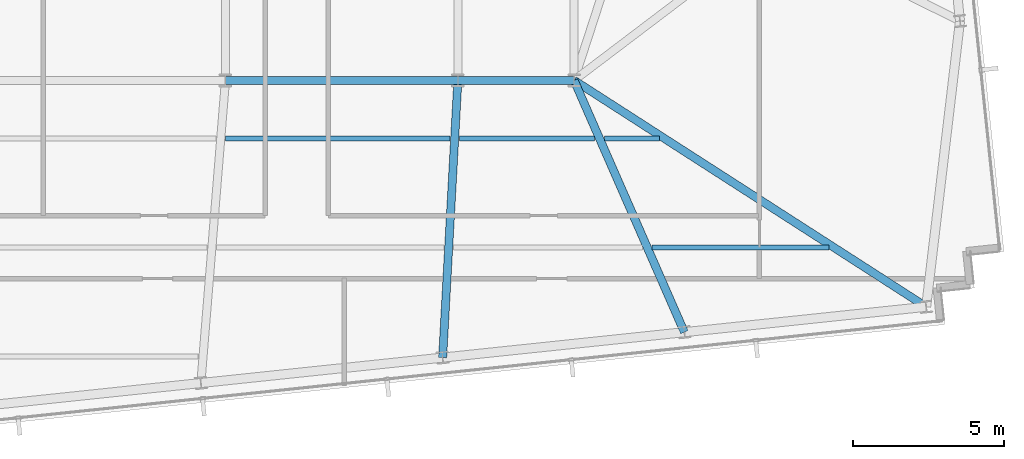
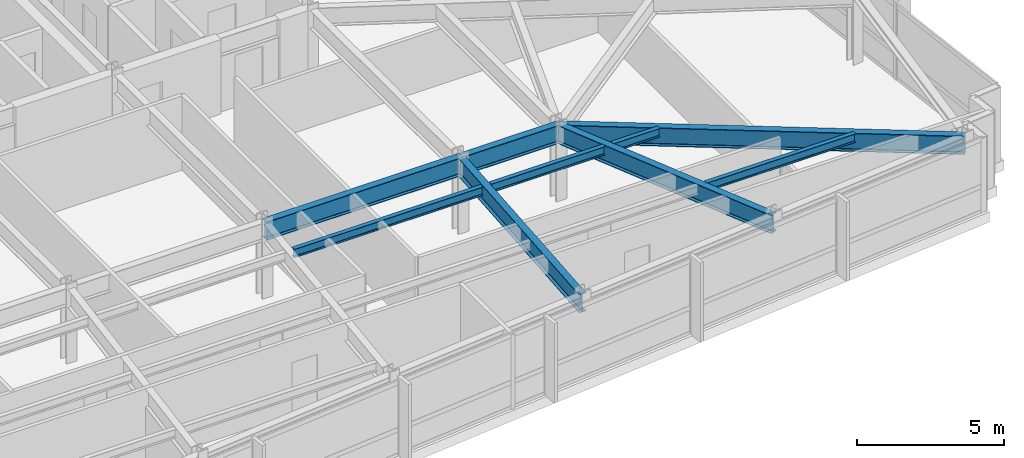
# One storey, part 11 of 26: 9 beams.
"""IFC4 building model written with IfcOpenShell, lengths in metres."""

import ifcopenshell
import ifcopenshell.guid

model = None  # the IFC model being written
_history = None  # IfcOwnerHistory: only IFC2X3 demands one
_inside = {}  # id of a spatial element -> (the spatial element, [elements in it])
_under = {}  # id of a project, library or spatial element -> (it, [spatial elements below it])
_declared = {}  # id of a project -> (the project, [libraries it declares])
_typed = {}  # id of a type object -> (the type object, [elements of that type])
_made_of = {}  # id of a material, layer set ... -> (it, [elements and type objects made of it])


def new_model(schema):
    """Start an empty IFC model of exactly this schema.

    Asked for "IFC4X3", IfcOpenShell would pick the latest addendum, in which some entities
    have other attributes; the version numbers below select the first issue.
    IFC2X3 requires an IfcOwnerHistory on every rooted entity: one is made here for all.
    """
    global model, _history
    if schema == "IFC4X3":
        model = ifcopenshell.file(schema_version=(4, 3, 0, 0))
    else:
        model = ifcopenshell.file(schema=schema)
    _inside.clear()
    _under.clear()
    _declared.clear()
    _typed.clear()
    _made_of.clear()
    _history = None
    if model.schema == "IFC2X3":
        org = make("IfcOrganization", Name="unknown")
        user = make(
            "IfcPersonAndOrganization",
            ThePerson=make("IfcPerson", FamilyName="unknown"),
            TheOrganization=org,
        )
        app = make(
            "IfcApplication",
            ApplicationDeveloper=org,
            Version="unknown",
            ApplicationFullName="unknown",
            ApplicationIdentifier="unknown",
        )
        _history = make(
            "IfcOwnerHistory",
            OwningUser=user,
            OwningApplication=app,
            ChangeAction="ADDED",
            CreationDate=0,
        )
    return model


def make(cls, **values):
    """One entity of the class cls with the attributes given. An attribute that is None is left unset."""
    return model.create_entity(
        cls, **{name: value for name, value in values.items() if value is not None}
    )


def rooted(cls, **values):
    """An entity with a GlobalId (a new one), such as an element, a storey or a relation."""
    return make(cls, GlobalId=ifcopenshell.guid.new(), OwnerHistory=_history, **values)


def si_unit(unit_type, name, prefix=None):
    """IfcSIUnit, for example si_unit("LENGTHUNIT", "METRE", prefix="MILLI")."""
    return make("IfcSIUnit", UnitType=unit_type, Prefix=prefix, Name=name)


def assignment(units):
    """IfcUnitAssignment: the units of a project."""
    return None if units is None else make("IfcUnitAssignment", Units=units)


def point(xyz):
    """IfcCartesianPoint."""
    return None if xyz is None else make("IfcCartesianPoint", Coordinates=xyz)


def direction(xyz):
    """IfcDirection."""
    return None if xyz is None else make("IfcDirection", DirectionRatios=xyz)


def frame(location, z_axis=None, x_axis=None):
    """IfcAxis2Placement3D, a coordinate frame: its origin and axes. An axis left out is left unset."""
    return make(
        "IfcAxis2Placement3D",
        Location=point(location),
        Axis=direction(z_axis),
        RefDirection=direction(x_axis),
    )


def frame_2d(location, x_axis=None):
    """IfcAxis2Placement2D, a coordinate frame in the plane: its origin and x axis."""
    return make(
        "IfcAxis2Placement2D", Location=point(location), RefDirection=direction(x_axis)
    )


def origin():
    """The frame at (0, 0, 0) with its axes left unset."""
    return frame((0.0, 0.0, 0.0))


def origin_2d():
    """The frame at (0, 0) in the plane with its x axis left unset."""
    return frame_2d((0.0, 0.0))


def place(relative_to, where):
    """IfcLocalPlacement: puts the frame where relative to a parent placement (None: the world)."""
    return make(
        "IfcLocalPlacement", PlacementRelTo=relative_to, RelativePlacement=where
    )


def context(
    kind, dimensions, precision=None, world=None, true_north=None, identifier=None
):
    """IfcGeometricRepresentationContext, for example the 3D "Model" context."""
    return make(
        "IfcGeometricRepresentationContext",
        ContextIdentifier=identifier,
        ContextType=kind,
        CoordinateSpaceDimension=dimensions,
        Precision=precision,
        WorldCoordinateSystem=world,
        TrueNorth=true_north,
    )


def subcontext(parent, identifier, kind, view, scale=None):
    """IfcGeometricRepresentationSubContext, for example "Body" below "Model"."""
    return make(
        "IfcGeometricRepresentationSubContext",
        ContextIdentifier=identifier,
        ContextType=kind,
        ParentContext=parent,
        TargetScale=scale,
        TargetView=view,
    )


def project(units=None, contexts=None):
    """IfcProject with its units and contexts."""
    return rooted(
        "IfcProject",
        Name="project",
        RepresentationContexts=contexts,
        UnitsInContext=assignment(units),
    )


def spatial(cls, under=None, at=None, **own):
    """A site, building, storey or space (cls), placed at a placement, below another one or the project."""
    s = rooted(cls, ObjectPlacement=at, **own)
    if under is not None:
        _under.setdefault(under.id(), (under, []))[1].append(s)
    return s


def profile(cls, at=None, kind="AREA", **sizes):
    """A parametric profile (cls). Its sizes go by their IFC names, for example OverallWidth=200.0."""
    return make(cls, ProfileType=kind, Position=at, **sizes)


def i_section(**sizes):
    """IfcIShapeProfileDef."""
    return profile("IfcIShapeProfileDef", **sizes)


def extrude(swept, where, along, depth):
    """IfcExtrudedAreaSolid: the profile swept, set in the frame where, extruded along a direction by depth."""
    return make(
        "IfcExtrudedAreaSolid",
        SweptArea=swept,
        Position=where,
        ExtrudedDirection=direction(along),
        Depth=depth,
    )


def shape(context_of_items, identifier, shape_type, items):
    """IfcShapeRepresentation: the items that make up one representation, for example the "Body"."""
    return make(
        "IfcShapeRepresentation",
        ContextOfItems=context_of_items,
        RepresentationIdentifier=identifier,
        RepresentationType=shape_type,
        Items=items,
    )


def material(Name=None, Category=None):
    """IfcMaterial."""
    return make("IfcMaterial", Name=Name, Category=Category)


def material_profile(
    of_material, cross_section, Name=None, Category=None, Priority=None
):
    """IfcMaterialProfile: a cross section and its material."""
    return make(
        "IfcMaterialProfile",
        Name=Name,
        Material=of_material,
        Profile=cross_section,
        Priority=Priority,
        Category=Category,
    )


def profile_set(profiles, Name=None, composite=None):
    """IfcMaterialProfileSet."""
    return make(
        "IfcMaterialProfileSet",
        Name=Name,
        MaterialProfiles=profiles,
        CompositeProfile=composite,
    )


def made_of(thing, what):
    """Note that an element or type object is made of a material, layer set ...; save() writes the relation."""
    if what is not None:
        _made_of.setdefault(what.id(), (what, []))[1].append(thing)
    return thing


def type_object(cls, material=None, **own):
    """A type object (cls), such as IfcWallType, which elements share."""
    return made_of(rooted(cls, **own), material)


def element(
    cls,
    number,
    at=None,
    inside=None,
    cuts=None,
    type_object=None,
    material=None,
    context=None,
    identifier="Body",
    shape_type=None,
    held_by="IfcProductDefinitionShape",
    body=None,
    shapes=None,
    **own,
):
    """One element of the class cls, such as IfcWall. Its Tag is "e" and its number.

    at: its placement. inside: the storey or other place that contains it. cuts: it is an
    opening in that element (IfcRelVoidsElement). A single representation is given by context,
    identifier, shape_type and body (its items); several are given by shapes. held_by: the class
    of the entity that holds the representations. save() writes the other relations.
    """
    e = rooted(cls, Tag="e%d" % number, ObjectPlacement=at, **own)
    if body is not None:
        shapes = [shape(context, identifier, shape_type, body)]
    if shapes is not None:
        e.Representation = make(held_by, Representations=shapes)
    if inside is not None:
        _inside.setdefault(inside.id(), (inside, []))[1].append(e)
    if cuts is not None:
        rooted(
            "IfcRelVoidsElement", RelatingBuildingElement=cuts, RelatedOpeningElement=e
        )
    if type_object is not None:
        _typed.setdefault(type_object.id(), (type_object, []))[1].append(e)
    return made_of(e, material)


def aggregate(whole, parts):
    """IfcRelAggregates: a whole, such as a stair, and the parts it consists of."""
    return rooted("IfcRelAggregates", RelatingObject=whole, RelatedObjects=parts)


def save(model, path):
    """Write the relations noted so far, then the file.

    IfcRelAggregates (storeys below a building ...), IfcRelContainedInSpatialStructure (elements
    in a storey), IfcRelDefinesByType, IfcRelAssociatesMaterial and IfcRelDeclares: one each for
    every whole, place, type object, material and project.
    """
    for whole, parts in _under.values():
        aggregate(whole, parts)
    for where, things in _inside.values():
        rooted(
            "IfcRelContainedInSpatialStructure",
            RelatedElements=things,
            RelatingStructure=where,
        )
    for kind, things in _typed.values():
        rooted("IfcRelDefinesByType", RelatedObjects=things, RelatingType=kind)
    for what, things in _made_of.values():
        rooted("IfcRelAssociatesMaterial", RelatedObjects=things, RelatingMaterial=what)
    for by, libraries in _declared.values():
        rooted("IfcRelDeclares", RelatingContext=by, RelatedDefinitions=libraries)
    model.write(path)


model = new_model("IFC4")

# Units and contexts
model_context = context("Model", 3, precision=1e-05, world=origin(), true_north=direction((0.0, 1.0)))
body_context = subcontext(model_context, "Body", "Model", "MODEL_VIEW")
ifc_project = project(units=[si_unit("LENGTHUNIT", "METRE"), si_unit("AREAUNIT", "SQUARE_METRE"), si_unit("VOLUMEUNIT", "CUBIC_METRE"), si_unit("PLANEANGLEUNIT", "RADIAN"), si_unit("MASSUNIT", "GRAM", prefix="KILO")], contexts=[model_context])

# Site, building, storey
site_placement = place(None, origin())
site = spatial("IfcSite", under=ifc_project, at=site_placement, CompositionType="ELEMENT")
building_placement = place(site_placement, origin())
building = spatial("IfcBuilding", under=site, at=building_placement, Name="Yelkora Congress Tower", CompositionType="ELEMENT")
storey_placement = place(building_placement, frame((0.0, 0.0, 204.5)))
storey = spatial("IfcBuildingStorey", under=building, at=storey_placement, Name="L56", CompositionType="ELEMENT", Elevation=204.5)

# Beams
ifc_material = material(Name="Steel S355J2", Category="steel")
ifc_material_profile_1 = material_profile(ifc_material, i_section(OverallWidth=0.26708984375, OverallDepth=0.761962890625, WebThickness=0.014404296875, FlangeThickness=0.021484375, FilletRadius=0.01708984375, at=origin_2d()), Name="IPE 750x173")
ifc_profile_set_1 = profile_set([ifc_material_profile_1], Name="Steel S355J2")
beam_type_1 = type_object("IfcBeamType", Name="BM-GIRD-IPE750", PredefinedType="BEAM", material=ifc_profile_set_1)
beam_1_placement = place(storey_placement, frame((46.080078125, 25.199951171875, 2.698974609375), z_axis=(1.0, 0.0, 0.0), x_axis=(0.0, 1.0, 0.0)))
element("IfcBeam", 1, at=beam_1_placement, inside=storey, type_object=beam_type_1, Name="L56 Spine Grid D Girder 5", PredefinedType="BEAM", context=body_context, shape_type="SweptSolid", body=[
    extrude(i_section(OverallWidth=0.26708984375, OverallDepth=0.761962890625, WebThickness=0.014404296875, FlangeThickness=0.021484375, FilletRadius=0.01708984375, at=origin_2d()), origin(), (0.0, 0.0, 1.0), 7.679931640625),
])
beam_2_placement = place(storey_placement, frame((53.760009765625, 25.199951171875, 2.698974609375), z_axis=(1.0, 0.0, 0.0), x_axis=(0.0, 1.0, 0.0)))
element("IfcBeam", 2, at=beam_2_placement, inside=storey, type_object=beam_type_1, Name="L56 Spine Grid D Girder 6", PredefinedType="BEAM", context=body_context, shape_type="SweptSolid", body=[
    extrude(i_section(OverallWidth=0.26708984375, OverallDepth=0.761962890625, WebThickness=0.014404296875, FlangeThickness=0.021484375, FilletRadius=0.01708984375, at=origin_2d()), origin(), (0.0, 0.0, 1.0), 3.840087890625),
])
beam_3_placement = place(storey_placement, frame((53.25634765625, 16.037353515625, 2.698974609375), z_axis=(0.054886497042, 0.998492600094, 0.0), x_axis=(-0.998492600094, 0.054886497042, 0.0)))
element("IfcBeam", 3, at=beam_3_placement, inside=storey, type_object=beam_type_1, Name="L56 Primary Frame Girder S05", PredefinedType="BEAM", context=body_context, shape_type="SweptSolid", body=[
    extrude(i_section(OverallWidth=0.26708984375, OverallDepth=0.761962890625, WebThickness=0.014404296875, FlangeThickness=0.021484375, FilletRadius=0.01708984375, at=origin_2d()), origin(), (0.0, 0.0, 1.0), 9.176513671875),
])
beam_4_placement = place(storey_placement, frame((61.24560546875, 16.877197265625, 2.698974609375), z_axis=(-0.401216289608, 0.915983345347, 0.0), x_axis=(-0.915983345347, -0.401216289608, 0.0)))
element("IfcBeam", 4, at=beam_4_placement, inside=storey, type_object=beam_type_1, Name="L56 Primary Frame Girder S06", PredefinedType="BEAM", context=body_context, shape_type="SweptSolid", body=[
    extrude(i_section(OverallWidth=0.26708984375, OverallDepth=0.761962890625, WebThickness=0.014404296875, FlangeThickness=0.021484375, FilletRadius=0.01708984375, at=origin_2d()), origin(), (0.0, 0.0, 1.0), 9.086181640625),
])
beam_5_placement = place(storey_placement, frame((69.235107421875, 17.716796875, 2.698974609375), z_axis=(-0.841063201017, 0.54093686498, 0.0), x_axis=(-0.54093686498, -0.841063201017, 0.0)))
element("IfcBeam", 5, at=beam_5_placement, inside=storey, type_object=beam_type_1, Name="L56 Primary Frame Girder S07", PredefinedType="BEAM", context=body_context, shape_type="SweptSolid", body=[
    extrude(i_section(OverallWidth=0.26708984375, OverallDepth=0.761962890625, WebThickness=0.014404296875, FlangeThickness=0.021484375, FilletRadius=0.01708984375, at=origin_2d()), origin(), (0.0, 0.0, 1.0), 13.833740234375),
])
ifc_material_profile_2 = material_profile(ifc_material, i_section(OverallWidth=0.169921875, OverallDepth=0.360107421875, WebThickness=0.008056640625, FlangeThickness=0.0126953125, FilletRadius=0.01806640625, at=origin_2d()), Name="IPE 360")
ifc_profile_set_2 = profile_set([ifc_material_profile_2], Name="Steel S355J2")
beam_type_2 = type_object("IfcBeamType", Name="BM-JOIST-IPE360", PredefinedType="JOIST", material=ifc_profile_set_2)
beam_6_placement = place(storey_placement, frame((60.1787109375, 19.678466796875, 2.89990234375), z_axis=(1.0, 0.0, 0.0), x_axis=(0.0, 1.0, 0.0)))
element("IfcBeam", 6, at=beam_6_placement, inside=storey, type_object=beam_type_2, Name="L56 Composite Floor Joist 8", PredefinedType="JOIST", context=body_context, shape_type="SweptSolid", body=[
    extrude(i_section(OverallWidth=0.169921875, OverallDepth=0.360107421875, WebThickness=0.008056640625, FlangeThickness=0.0126953125, FilletRadius=0.01806640625, at=origin_2d()), origin(), (0.0, 0.0, 1.0), 5.84619140625),
])
beam_7_placement = place(storey_placement, frame((46.083740234375, 23.278564453125, 2.89990234375), z_axis=(1.0, 0.0, 0.0), x_axis=(0.0, 1.0, 0.0)))
element("IfcBeam", 7, at=beam_7_placement, inside=storey, type_object=beam_type_2, Name="L56 Composite Floor Joist 12", PredefinedType="JOIST", context=body_context, shape_type="SweptSolid", body=[
    extrude(i_section(OverallWidth=0.169921875, OverallDepth=0.360107421875, WebThickness=0.008056640625, FlangeThickness=0.0126953125, FilletRadius=0.01806640625, at=origin_2d()), origin(), (0.0, 0.0, 1.0), 7.41064453125),
])
beam_8_placement = place(storey_placement, frame((53.814453125, 23.278564453125, 2.89990234375), z_axis=(1.0, 0.0, 0.0), x_axis=(0.0, 1.0, 0.0)))
element("IfcBeam", 8, at=beam_8_placement, inside=storey, type_object=beam_type_2, Name="L56 Composite Floor Joist 13", PredefinedType="JOIST", context=body_context, shape_type="SweptSolid", body=[
    extrude(i_section(OverallWidth=0.169921875, OverallDepth=0.360107421875, WebThickness=0.008056640625, FlangeThickness=0.0126953125, FilletRadius=0.01806640625, at=origin_2d()), origin(), (0.0, 0.0, 1.0), 4.46728515625),
])
beam_9_placement = place(storey_placement, frame((58.601806640625, 23.278564453125, 2.89990234375), z_axis=(1.0, 0.0, 0.0), x_axis=(0.0, 1.0, 0.0)))
element("IfcBeam", 9, at=beam_9_placement, inside=storey, type_object=beam_type_2, Name="L56 Composite Floor Joist 14", PredefinedType="JOIST", context=body_context, shape_type="SweptSolid", body=[
    extrude(i_section(OverallWidth=0.169921875, OverallDepth=0.360107421875, WebThickness=0.008056640625, FlangeThickness=0.0126953125, FilletRadius=0.01806640625, at=origin_2d()), origin(), (0.0, 0.0, 1.0), 1.82568359375),
])

save(model, "model.ifc")
